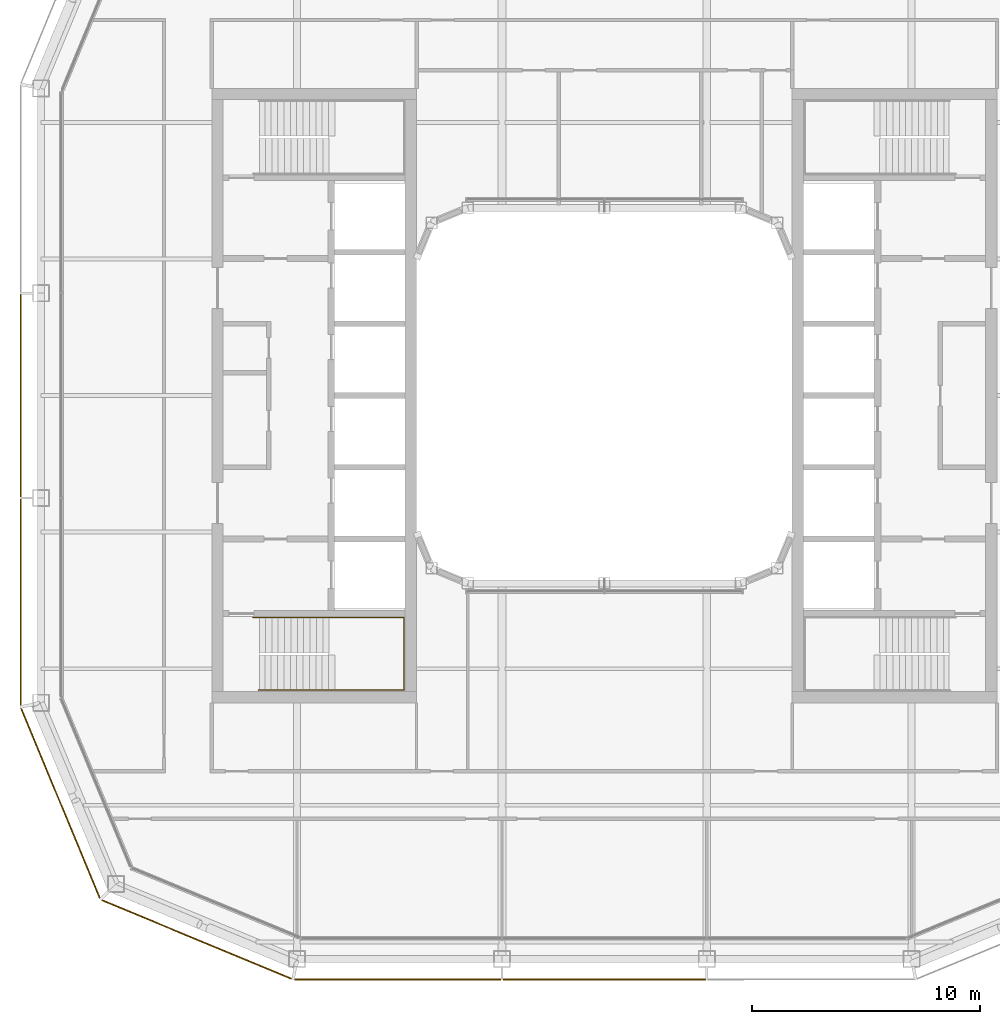
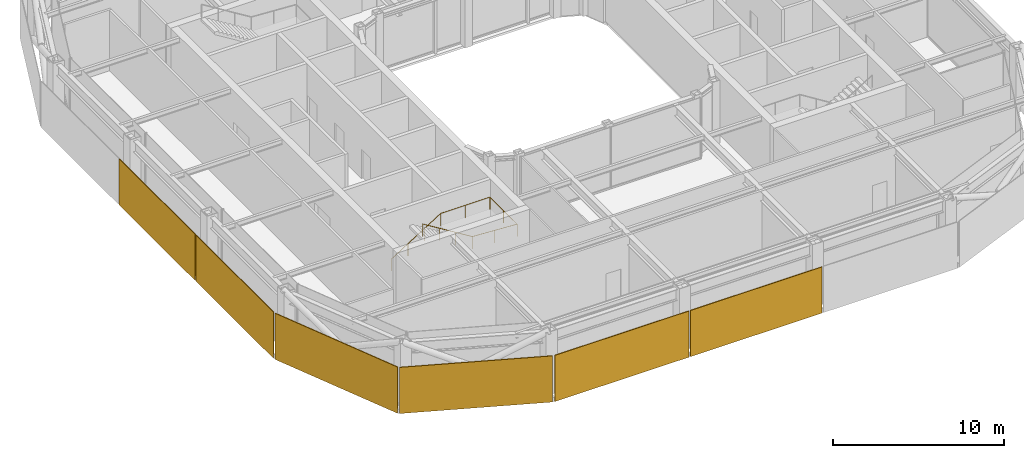
# One storey, part 14 of 17: 6 coverings, 1 railing.
"""IFC4 building model written with IfcOpenShell, lengths in metres."""

from ifc_helpers import new_model, si_unit, direction, frame, origin, origin_2d, place, context, subcontext, project, spatial, rectangle, circle, extrude, material, layer, layer_set, type_object, element, save


model = new_model("IFC4")

# Units and contexts
model_context = context("Model", 3, precision=1e-05, world=origin(), true_north=direction((0.0, 1.0)))
body_context = subcontext(model_context, "Body", "Model", "MODEL_VIEW")
ifc_project = project(units=[si_unit("LENGTHUNIT", "METRE"), si_unit("AREAUNIT", "SQUARE_METRE"), si_unit("VOLUMEUNIT", "CUBIC_METRE"), si_unit("PLANEANGLEUNIT", "RADIAN"), si_unit("MASSUNIT", "GRAM", prefix="KILO")], contexts=[model_context])

# Site, building, storey
site_placement = place(None, origin())
site = spatial("IfcSite", under=ifc_project, at=site_placement, CompositionType="ELEMENT")
building_placement = place(site_placement, origin())
building = spatial("IfcBuilding", under=site, at=building_placement, Name="Siwar Civic Tower", CompositionType="ELEMENT")
storey_placement = place(building_placement, frame((0.0, 0.0, 289.699951171875)))
storey = spatial("IfcBuildingStorey", under=building, at=storey_placement, Name="L62", CompositionType="ELEMENT", Elevation=289.699951171875)

# Railing
ifc_material_1 = material(Name="Stainless steel", Category="steel")
railing_type = type_object("IfcRailingType", Name="CORE-STAIR-HANDRAIL", PredefinedType="HANDRAIL", material=ifc_material_1)
railing_placement = place(storey_placement, frame((-15.449951171875, -9.758056640625, 0.173095703125)))
element("IfcRailing", 1, at=railing_placement, inside=storey, type_object=railing_type, Name="Stair handrail ST2", PredefinedType="HANDRAIL", context=body_context, shape_type="SweptSolid", body=[
    extrude(circle(Radius=0.02001953125, at=origin_2d()), frame((0.0, 0.0, 0.8798828125), z_axis=(0.847063342986, 0.0, 0.531491950051), x_axis=(0.0, 1.0, 0.0)), (0.0, 0.0, 1.0), 3.90771484375),
    extrude(circle(Radius=0.02001953125, at=origin_2d()), frame((3.31005859375, 0.0, 2.956787109375), z_axis=(1.0, 0.0, 0.0), x_axis=(0.0, 1.0, 0.0)), (0.0, 0.0, 1.0), 3.331787109375),
    extrude(circle(Radius=0.02001953125, at=origin_2d()), frame((6.641845703125, 0.0, 2.956787109375), z_axis=(0.0, -1.0, 0.0), x_axis=(1.0, 0.0, 0.0)), (0.0, 0.0, 1.0), 3.183837890625),
    extrude(circle(Radius=0.02001953125, at=origin_2d()), frame((6.641845703125, -3.183837890625, 2.956787109375), z_axis=(-0.99837434197, 0.0, 0.056997134106), x_axis=(0.0, -1.0, 0.0)), (0.0, 0.0, 1.0), 3.036865234375),
    extrude(circle(Radius=0.02001953125, at=origin_2d()), frame((3.60986328125, -3.183837890625, 3.1298828125), z_axis=(-0.850606129759, 0.0, 0.525803396734), x_axis=(0.0, -1.0, 0.0)), (0.0, 0.0, 1.0), 3.949951171875),
    extrude(circle(Radius=0.02001953125, at=origin_2d()), origin(), (0.0, 0.0, 1.0), 0.85986328125),
    extrude(circle(Radius=0.02001953125, at=origin_2d()), frame((1.103271484375, 0.0, 0.6923828125)), (0.0, 0.0, 1.0), 0.85986328125),
    extrude(circle(Radius=0.02001953125, at=origin_2d()), frame((2.206787109375, 0.0, 1.384521484375)), (0.0, 0.0, 1.0), 0.85986328125),
    extrude(circle(Radius=0.02001953125, at=origin_2d()), frame((3.31005859375, 0.0, 2.076904296875)), (0.0, 0.0, 1.0), 0.85986328125),
    extrude(circle(Radius=0.02001953125, at=origin_2d()), frame((4.97607421875, 0.0, 2.076904296875)), (0.0, 0.0, 1.0), 0.85986328125),
    extrude(circle(Radius=0.02001953125, at=origin_2d()), frame((6.641845703125, 0.0, 2.076904296875)), (0.0, 0.0, 1.0), 0.85986328125),
    extrude(circle(Radius=0.02001953125, at=origin_2d()), frame((6.641845703125, -1.591796875, 2.076904296875)), (0.0, 0.0, 1.0), 0.85986328125),
    extrude(circle(Radius=0.02001953125, at=origin_2d()), frame((6.641845703125, -3.183837890625, 2.076904296875)), (0.0, 0.0, 1.0), 0.85986328125),
    extrude(circle(Radius=0.02001953125, at=origin_2d()), frame((5.1259765625, -3.183837890625, 2.16357421875)), (0.0, 0.0, 1.0), 0.85986328125),
    extrude(circle(Radius=0.02001953125, at=origin_2d()), frame((3.60986328125, -3.183837890625, 2.25)), (0.0, 0.0, 1.0), 0.85986328125),
    extrude(circle(Radius=0.02001953125, at=origin_2d()), frame((2.489990234375, -3.183837890625, 2.9423828125)), (0.0, 0.0, 1.0), 0.85986328125),
    extrude(circle(Radius=0.02001953125, at=origin_2d()), frame((1.369873046875, -3.183837890625, 3.634521484375)), (0.0, 0.0, 1.0), 0.85986328125),
    extrude(circle(Radius=0.02001953125, at=origin_2d()), frame((0.25, -3.183837890625, 4.326904296875)), (0.0, 0.0, 1.0), 0.85986328125),
])

# Coverings
ifc_material_2 = material(Name="Perforated aluminium cassette, pale metal", Category="aluminium")
ifc_layer_1 = layer(ifc_material_2, 0.050048828125)
ifc_layer_set_1 = layer_set([ifc_layer_1], Name="Perforated aluminium cassette, pale metal")
covering_type_1 = type_object("IfcCoveringType", Name="ENV-OUTER SKIN OS-3", PredefinedType="CLADDING", material=ifc_layer_set_1)
covering_1_placement = place(storey_placement, frame((-25.64990234375, 0.0, -0.14990234375), z_axis=(0.0, 0.0, 1.0), x_axis=(0.0, -1.0, 0.0)))
element("IfcCovering", 2, at=covering_1_placement, inside=storey, type_object=covering_type_1, Name="OUTER SKIN OS-3 W 2", PredefinedType="CLADDING", context=body_context, shape_type="SweptSolid", body=[
    extrude(rectangle(XDim=8.89990234375, YDim=0.050048828125, at=origin_2d()), origin(), (0.0, 0.0, 1.0), 3.300048828125),
])
covering_2_placement = place(storey_placement, frame((-25.64990234375, -9.07958984375, -0.14990234375), z_axis=(0.0, 0.0, 1.0), x_axis=(0.0, -1.0, 0.0)))
element("IfcCovering", 3, at=covering_2_placement, inside=storey, type_object=covering_type_1, Name="OUTER SKIN OS-3 W 3", PredefinedType="CLADDING", context=body_context, shape_type="SweptSolid", body=[
    extrude(rectangle(XDim=9.05908203125, YDim=0.050048828125, at=origin_2d()), origin(), (0.0, 0.0, 1.0), 3.300048828125),
])
ifc_material_3 = material(Name="Perforated aluminium cassette, pale metal", Category="aluminium")
ifc_layer_2 = layer(ifc_material_3, 0.054931640625)
ifc_layer_set_2 = layer_set([ifc_layer_2], Name="Perforated aluminium cassette, pale metal")
covering_type_2 = type_object("IfcCoveringType", Name="ENV-OUTER SKIN OS-4", PredefinedType="CLADDING", material=ifc_layer_set_2)
covering_3_placement = place(storey_placement, frame((-9.07958984375, -25.64990234375, -0.14990234375), z_axis=(0.0, 0.0, 1.0), x_axis=(1.0, 0.0, 0.0)))
element("IfcCovering", 4, at=covering_3_placement, inside=storey, type_object=covering_type_2, Name="OUTER SKIN OS-4 S 1", PredefinedType="CLADDING", context=body_context, shape_type="SweptSolid", body=[
    extrude(rectangle(XDim=9.05908203125, YDim=0.054931640625, at=origin_2d()), origin(), (0.0, 0.0, 1.0), 3.300048828125),
])
covering_4_placement = place(storey_placement, frame((0.0, -25.64990234375, -0.14990234375), z_axis=(0.0, 0.0, 1.0), x_axis=(1.0, 0.0, 0.0)))
element("IfcCovering", 5, at=covering_4_placement, inside=storey, type_object=covering_type_2, Name="OUTER SKIN OS-4 S 2", PredefinedType="CLADDING", context=body_context, shape_type="SweptSolid", body=[
    extrude(rectangle(XDim=8.89990234375, YDim=0.054931640625, at=origin_2d()), origin(), (0.0, 0.0, 1.0), 3.300048828125),
])
for number, where, z_axis, x_axis, name in (
    (6, (-23.89697265625, -17.911376953125, -0.14990234375), (0.0, 0.0, 1.0), (0.382683432365, -0.923879532511, 0.0), "OUTER SKIN OS-4 SW1 1"),
    (7, (-17.911376953125, -23.89697265625, -0.14990234375), (0.0, 0.0, 1.0), (0.923879532511, -0.382683432365, 0.0), "OUTER SKIN OS-4 SW2 1"),
):
    element("IfcCovering", number, at=place(storey_placement, frame(where, z_axis=z_axis, x_axis=x_axis)), inside=storey, type_object=covering_type_2, Name=name, PredefinedType="CLADDING", context=body_context, shape_type="SweptSolid", body=[
        extrude(rectangle(XDim=9.022216796875, YDim=0.054931640625, at=origin_2d()), origin(), (0.0, 0.0, 1.0), 3.300048828125),
    ])

save(model, "model.ifc")
